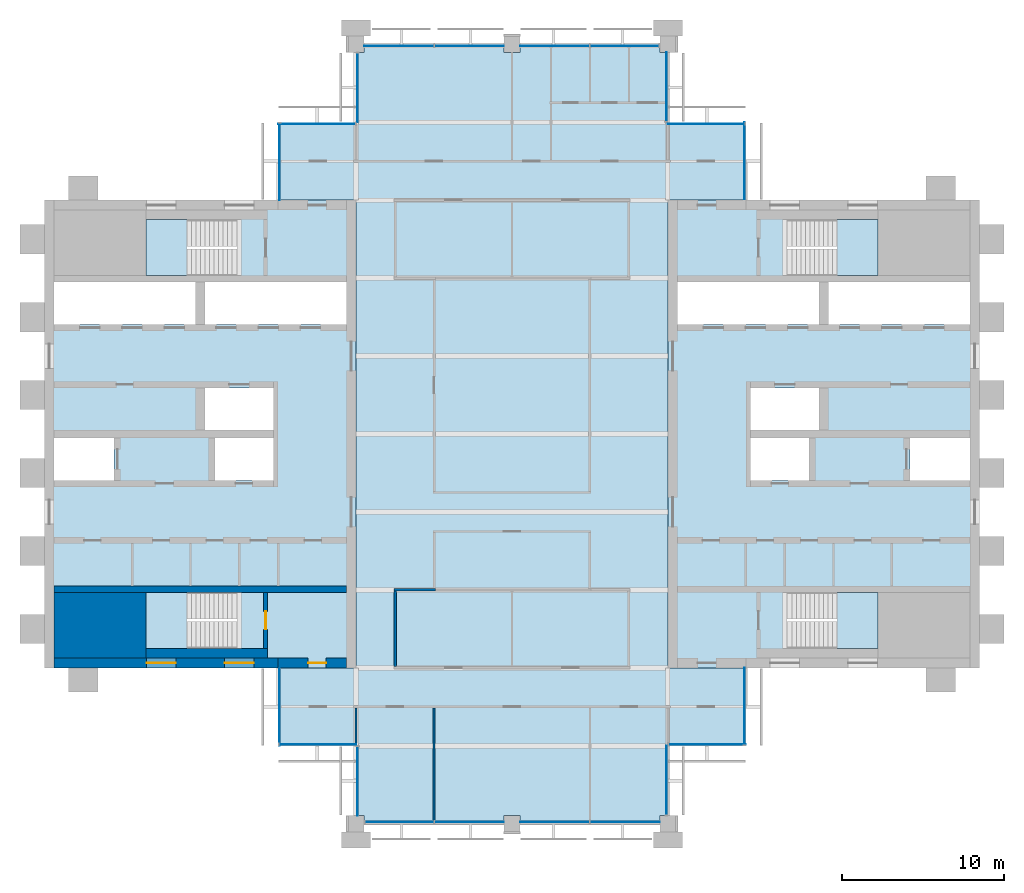
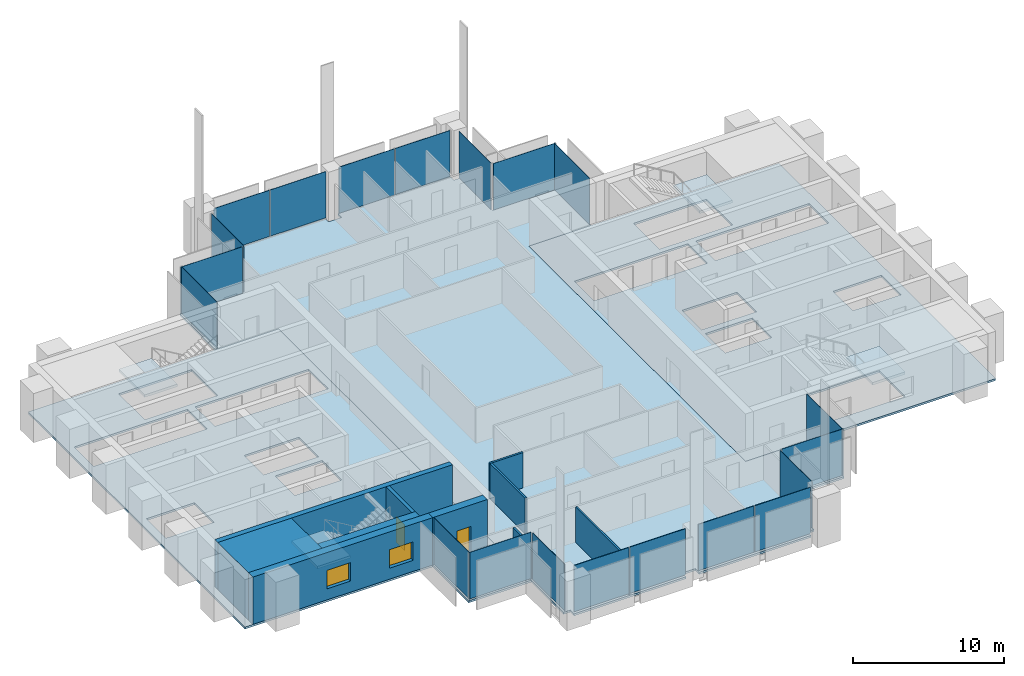
# One storey, part 7 of 13: 20 plates, 10 walls, 7 slabs, 2 doors, 2 windows, 4 openings, 18 elements without a shape of their own.
"""IFC4 building model written with IfcOpenShell, lengths in metres."""

from ifc_helpers import new_model, si_unit, direction, frame, frame_2d, origin, origin_2d, place, context, subcontext, project, spatial, polyline, rectangle, outline, extrude, material, layer, layer_set, type_object, element, fill, aggregate, save


model = new_model("IFC4")

# Units and contexts
model_context = context("Model", 3, precision=1e-05, world=origin(), true_north=direction((0.0, 1.0)))
body_context = subcontext(model_context, "Body", "Model", "MODEL_VIEW")
ifc_project = project(units=[si_unit("LENGTHUNIT", "METRE"), si_unit("AREAUNIT", "SQUARE_METRE"), si_unit("VOLUMEUNIT", "CUBIC_METRE"), si_unit("PLANEANGLEUNIT", "RADIAN"), si_unit("MASSUNIT", "GRAM", prefix="KILO")], contexts=[model_context])

# Site, building, storey
site_placement = place(None, origin())
site = spatial("IfcSite", under=ifc_project, at=site_placement, CompositionType="ELEMENT")
building_placement = place(site_placement, origin())
building = spatial("IfcBuilding", under=site, at=building_placement, Name="Baori Bourse Tower", CompositionType="ELEMENT")
storey_placement = place(building_placement, frame((0.0, 0.0, 330.300048828125)))
storey = spatial("IfcBuildingStorey", under=building, at=storey_placement, Name="L73", CompositionType="ELEMENT", Elevation=330.300048828125)

# Curtain wall, plate
ifc_material_1 = material(Name="Pale anodised aluminium", Category="aluminium")
curtain_wall_type_1 = type_object("IfcCurtainWallType", Name="CW2 Curtain wall", PredefinedType="NOTDEFINED", material=ifc_material_1)
curtain_wall_1_placement = place(storey_placement, origin())
curtain_wall_1 = element("IfcCurtainWall", 1, at=curtain_wall_1_placement, inside=storey, type_object=curtain_wall_type_1, Name="Curtain wall CW2 L73 1", PredefinedType="NOTDEFINED")
ifc_material_2 = material(Name="Clear glass", Category="glass")
ifc_layer_1 = layer(ifc_material_2, 0.030029296875)
ifc_layer_set_1 = layer_set([ifc_layer_1], Name="CW2 Curtain wall panel")
plate_type_1 = type_object("IfcPlateType", Name="CW2 Curtain wall panel", PredefinedType="CURTAIN_PANEL", material=ifc_layer_set_1)
plate_1_placement = place(storey_placement, frame((43.110107421875, 40.827392578125, 0.06982421875), z_axis=(0.0, 0.0, 1.0), x_axis=(0.0, 1.0, 0.0)))
plate_1 = element("IfcPlate", 2, at=plate_1_placement, type_object=plate_type_1, Name="Curtain wall CW2 panel", PredefinedType="CURTAIN_PANEL", context=body_context, shape_type="SweptSolid", body=[
    extrude(rectangle(XDim=4.7451171875, YDim=0.030029296875, at=origin_2d()), origin(), (0.0, 0.0, 1.0), 3.77001953125),
])
aggregate(curtain_wall_1, [plate_1])

curtain_wall_2_placement = place(storey_placement, origin())
curtain_wall_2 = element("IfcCurtainWall", 3, at=curtain_wall_2_placement, inside=storey, type_object=curtain_wall_type_1, Name="Curtain wall CW2 L73 2", PredefinedType="NOTDEFINED")
plate_2_placement = place(storey_placement, frame((40.7724609375, 43.110107421875, 0.06982421875), z_axis=(0.0, 0.0, 1.0), x_axis=(-1.0, 0.0, 0.0)))
plate_2 = element("IfcPlate", 4, at=plate_2_placement, type_object=plate_type_1, Name="Curtain wall CW2 panel", PredefinedType="CURTAIN_PANEL", context=body_context, shape_type="SweptSolid", body=[
    extrude(rectangle(XDim=4.7451171875, YDim=0.030029296875, at=origin_2d()), origin(), (0.0, 0.0, 1.0), 3.77001953125),
])
aggregate(curtain_wall_2, [plate_2])

curtain_wall_3_placement = place(storey_placement, origin())
curtain_wall_3 = element("IfcCurtainWall", 5, at=curtain_wall_3_placement, inside=storey, type_object=curtain_wall_type_1, Name="Curtain wall CW2 L73 3", PredefinedType="NOTDEFINED")
plate_3_placement = place(storey_placement, frame((38.31005859375, 45.37744140625, 0.06982421875), z_axis=(0.0, 0.0, 1.0), x_axis=(0.0, 1.0, 0.0)))
plate_3 = element("IfcPlate", 6, at=plate_3_placement, type_object=plate_type_1, Name="Curtain wall CW2 panel", PredefinedType="CURTAIN_PANEL", context=body_context, shape_type="SweptSolid", body=[
    extrude(rectangle(XDim=4.2451171875, YDim=0.030029296875, at=origin_2d()), origin(), (0.0, 0.0, 1.0), 3.77001953125),
])
aggregate(curtain_wall_3, [plate_3])

curtain_wall_4_placement = place(storey_placement, origin())
curtain_wall_4 = element("IfcCurtainWall", 7, at=curtain_wall_4_placement, inside=storey, type_object=curtain_wall_type_1, Name="Curtain wall CW2 L73 5", PredefinedType="NOTDEFINED")
plate_4_placement = place(storey_placement, frame((19.2900390625, 45.322509765625, 0.06982421875), z_axis=(0.0, 0.0, 1.0), x_axis=(0.0, -1.0, 0.0)))
plate_4 = element("IfcPlate", 8, at=plate_4_placement, type_object=plate_type_1, Name="Curtain wall CW2 panel", PredefinedType="CURTAIN_PANEL", context=body_context, shape_type="SweptSolid", body=[
    extrude(rectangle(XDim=4.2451171875, YDim=0.030029296875, at=origin_2d()), origin(), (0.0, 0.0, 1.0), 3.77001953125),
])
aggregate(curtain_wall_4, [plate_4])

curtain_wall_5_placement = place(storey_placement, origin())
curtain_wall_5 = element("IfcCurtainWall", 9, at=curtain_wall_5_placement, inside=storey, type_object=curtain_wall_type_1, Name="Curtain wall CW2 L73 6", PredefinedType="NOTDEFINED")
plate_5_placement = place(storey_placement, frame((16.7724609375, 43.110107421875, 0.06982421875), z_axis=(0.0, 0.0, 1.0), x_axis=(-1.0, 0.0, 0.0)))
plate_5 = element("IfcPlate", 10, at=plate_5_placement, type_object=plate_type_1, Name="Curtain wall CW2 panel", PredefinedType="CURTAIN_PANEL", context=body_context, shape_type="SweptSolid", body=[
    extrude(rectangle(XDim=4.7451171875, YDim=0.030029296875, at=origin_2d()), origin(), (0.0, 0.0, 1.0), 3.77001953125),
])
aggregate(curtain_wall_5, [plate_5])

curtain_wall_6_placement = place(storey_placement, origin())
curtain_wall_6 = element("IfcCurtainWall", 11, at=curtain_wall_6_placement, inside=storey, type_object=curtain_wall_type_1, Name="Curtain wall CW2 L73 7", PredefinedType="NOTDEFINED")
plate_6_placement = place(storey_placement, frame((14.489990234375, 40.7724609375, 0.06982421875), z_axis=(0.0, 0.0, 1.0), x_axis=(0.0, -1.0, 0.0)))
plate_6 = element("IfcPlate", 12, at=plate_6_placement, type_object=plate_type_1, Name="Curtain wall CW2 panel", PredefinedType="CURTAIN_PANEL", context=body_context, shape_type="SweptSolid", body=[
    extrude(rectangle(XDim=4.7451171875, YDim=0.030029296875, at=origin_2d()), origin(), (0.0, 0.0, 1.0), 3.77001953125),
])
aggregate(curtain_wall_6, [plate_6])

curtain_wall_7_placement = place(storey_placement, origin())
curtain_wall_7 = element("IfcCurtainWall", 13, at=curtain_wall_7_placement, inside=storey, type_object=curtain_wall_type_1, Name="Curtain wall CW2 L73 8", PredefinedType="NOTDEFINED")
plate_7_placement = place(storey_placement, frame((14.489990234375, 7.172607421875, 0.06982421875), z_axis=(0.0, 0.0, 1.0), x_axis=(0.0, -1.0, 0.0)))
plate_7 = element("IfcPlate", 14, at=plate_7_placement, type_object=plate_type_1, Name="Curtain wall CW2 panel", PredefinedType="CURTAIN_PANEL", context=body_context, shape_type="SweptSolid", body=[
    extrude(rectangle(XDim=4.7451171875, YDim=0.030029296875, at=origin_2d()), origin(), (0.0, 0.0, 1.0), 3.77001953125),
])
aggregate(curtain_wall_7, [plate_7])

curtain_wall_8_placement = place(storey_placement, origin())
curtain_wall_8 = element("IfcCurtainWall", 15, at=curtain_wall_8_placement, inside=storey, type_object=curtain_wall_type_1, Name="Curtain wall CW2 L73 9", PredefinedType="NOTDEFINED")
plate_8_placement = place(storey_placement, frame((16.827392578125, 4.889892578125, 0.06982421875), z_axis=(0.0, 0.0, 1.0), x_axis=(1.0, 0.0, 0.0)))
plate_8 = element("IfcPlate", 16, at=plate_8_placement, type_object=plate_type_1, Name="Curtain wall CW2 panel", PredefinedType="CURTAIN_PANEL", context=body_context, shape_type="SweptSolid", body=[
    extrude(rectangle(XDim=4.7451171875, YDim=0.030029296875, at=origin_2d()), origin(), (0.0, 0.0, 1.0), 3.77001953125),
])
aggregate(curtain_wall_8, [plate_8])

curtain_wall_9_placement = place(storey_placement, origin())
curtain_wall_9 = element("IfcCurtainWall", 17, at=curtain_wall_9_placement, inside=storey, type_object=curtain_wall_type_1, Name="Curtain wall CW2 L73 10", PredefinedType="NOTDEFINED")
plate_9_placement = place(storey_placement, frame((19.2900390625, 2.62255859375, 0.06982421875), z_axis=(0.0, 0.0, 1.0), x_axis=(0.0, -1.0, 0.0)))
plate_9 = element("IfcPlate", 18, at=plate_9_placement, type_object=plate_type_1, Name="Curtain wall CW2 panel", PredefinedType="CURTAIN_PANEL", context=body_context, shape_type="SweptSolid", body=[
    extrude(rectangle(XDim=4.2451171875, YDim=0.030029296875, at=origin_2d()), origin(), (0.0, 0.0, 1.0), 3.77001953125),
])
aggregate(curtain_wall_9, [plate_9])

curtain_wall_10_placement = place(storey_placement, origin())
curtain_wall_10 = element("IfcCurtainWall", 19, at=curtain_wall_10_placement, inside=storey, type_object=curtain_wall_type_1, Name="Curtain wall CW2 L73 12", PredefinedType="NOTDEFINED")
plate_10_placement = place(storey_placement, frame((38.31005859375, 2.677490234375, 0.06982421875), z_axis=(0.0, 0.0, 1.0), x_axis=(0.0, 1.0, 0.0)))
plate_10 = element("IfcPlate", 20, at=plate_10_placement, type_object=plate_type_1, Name="Curtain wall CW2 panel", PredefinedType="CURTAIN_PANEL", context=body_context, shape_type="SweptSolid", body=[
    extrude(rectangle(XDim=4.2451171875, YDim=0.030029296875, at=origin_2d()), origin(), (0.0, 0.0, 1.0), 3.77001953125),
])
aggregate(curtain_wall_10, [plate_10])

curtain_wall_11_placement = place(storey_placement, origin())
curtain_wall_11 = element("IfcCurtainWall", 21, at=curtain_wall_11_placement, inside=storey, type_object=curtain_wall_type_1, Name="Curtain wall CW2 L73 13", PredefinedType="NOTDEFINED")
plate_11_placement = place(storey_placement, frame((40.827392578125, 4.889892578125, 0.06982421875), z_axis=(0.0, 0.0, 1.0), x_axis=(1.0, 0.0, 0.0)))
plate_11 = element("IfcPlate", 22, at=plate_11_placement, type_object=plate_type_1, Name="Curtain wall CW2 panel", PredefinedType="CURTAIN_PANEL", context=body_context, shape_type="SweptSolid", body=[
    extrude(rectangle(XDim=4.7451171875, YDim=0.030029296875, at=origin_2d()), origin(), (0.0, 0.0, 1.0), 3.77001953125),
])
aggregate(curtain_wall_11, [plate_11])

curtain_wall_12_placement = place(storey_placement, origin())
curtain_wall_12 = element("IfcCurtainWall", 23, at=curtain_wall_12_placement, inside=storey, type_object=curtain_wall_type_1, Name="Curtain wall CW2 L73 14", PredefinedType="NOTDEFINED")
plate_12_placement = place(storey_placement, frame((43.110107421875, 7.2275390625, 0.06982421875), z_axis=(0.0, 0.0, 1.0), x_axis=(0.0, 1.0, 0.0)))
plate_12 = element("IfcPlate", 24, at=plate_12_placement, type_object=plate_type_1, Name="Curtain wall CW2 panel", PredefinedType="CURTAIN_PANEL", context=body_context, shape_type="SweptSolid", body=[
    extrude(rectangle(XDim=4.7451171875, YDim=0.030029296875, at=origin_2d()), origin(), (0.0, 0.0, 1.0), 3.77001953125),
])
aggregate(curtain_wall_12, [plate_12])

# Curtain wall, plates
ifc_material_3 = material(Name="Pale anodised aluminium", Category="aluminium")
curtain_wall_type_2 = type_object("IfcCurtainWallType", Name="CW5 Curtain wall", PredefinedType="NOTDEFINED", material=ifc_material_3)
curtain_wall_13_placement = place(storey_placement, origin())
curtain_wall_13 = element("IfcCurtainWall", 25, at=curtain_wall_13_placement, inside=storey, type_object=curtain_wall_type_2, Name="Curtain wall CW5 L73 4", PredefinedType="NOTDEFINED")
ifc_material_4 = material(Name="Clear glass", Category="glass")
ifc_layer_2 = layer(ifc_material_4, 0.035888671875)
ifc_layer_set_2 = layer_set([ifc_layer_2], Name="CW5 Curtain wall panel")
plate_type_2 = type_object("IfcPlateType", Name="CW5 Curtain wall panel", PredefinedType="CURTAIN_PANEL", material=ifc_layer_set_2)
plate_13_placement = place(storey_placement, frame((35.733642578125, 47.889892578125, 0.0849609375), z_axis=(0.0, 0.0, 1.0), x_axis=(-1.0, 0.0, 0.0)))
plate_13 = element("IfcPlate", 26, at=plate_13_placement, type_object=plate_type_2, Name="Curtain wall CW5 panel", PredefinedType="CURTAIN_PANEL", context=body_context, shape_type="SweptSolid", body=[
    extrude(rectangle(XDim=4.202392578125, YDim=0.035888671875, at=origin_2d()), origin(), (0.0, 0.0, 1.0), 3.7548828125),
])
plate_14_placement = place(storey_placement, frame((31.433837890625, 47.889892578125, 0.0849609375), z_axis=(0.0, 0.0, 1.0), x_axis=(-1.0, 0.0, 0.0)))
plate_14 = element("IfcPlate", 27, at=plate_14_placement, type_object=plate_type_2, Name="Curtain wall CW5 panel", PredefinedType="CURTAIN_PANEL", context=body_context, shape_type="SweptSolid", body=[
    extrude(rectangle(XDim=4.267578125, YDim=0.035888671875, at=origin_2d()), origin(), (0.0, 0.0, 1.0), 3.7548828125),
])
plate_15_placement = place(storey_placement, frame((26.166259765625, 47.889892578125, 0.0849609375), z_axis=(0.0, 0.0, 1.0), x_axis=(-1.0, 0.0, 0.0)))
plate_15 = element("IfcPlate", 28, at=plate_15_placement, type_object=plate_type_2, Name="Curtain wall CW5 panel", PredefinedType="CURTAIN_PANEL", context=body_context, shape_type="SweptSolid", body=[
    extrude(rectangle(XDim=4.267578125, YDim=0.035888671875, at=origin_2d()), origin(), (0.0, 0.0, 1.0), 3.7548828125),
])
plate_16_placement = place(storey_placement, frame((21.833740234375, 47.889892578125, 0.0849609375), z_axis=(0.0, 0.0, 1.0), x_axis=(-1.0, 0.0, 0.0)))
plate_16 = element("IfcPlate", 29, at=plate_16_placement, type_object=plate_type_2, Name="Curtain wall CW5 panel", PredefinedType="CURTAIN_PANEL", context=body_context, shape_type="SweptSolid", body=[
    extrude(rectangle(XDim=4.267578125, YDim=0.035888671875, at=origin_2d()), origin(), (0.0, 0.0, 1.0), 3.7548828125),
])
aggregate(curtain_wall_13, [plate_13, plate_14, plate_15, plate_16])

curtain_wall_14_placement = place(storey_placement, origin())
curtain_wall_14 = element("IfcCurtainWall", 30, at=curtain_wall_14_placement, inside=storey, type_object=curtain_wall_type_2, Name="Curtain wall CW5 L73 11", PredefinedType="NOTDEFINED")
plate_17_placement = place(storey_placement, frame((21.8662109375, 0.110107421875, 0.0849609375), z_axis=(0.0, 0.0, 1.0), x_axis=(1.0, 0.0, 0.0)))
plate_17 = element("IfcPlate", 31, at=plate_17_placement, type_object=plate_type_2, Name="Curtain wall CW5 panel", PredefinedType="CURTAIN_PANEL", context=body_context, shape_type="SweptSolid", body=[
    extrude(rectangle(XDim=4.202392578125, YDim=0.035888671875, at=origin_2d()), origin(), (0.0, 0.0, 1.0), 3.7548828125),
])
plate_18_placement = place(storey_placement, frame((26.166259765625, 0.110107421875, 0.0849609375), z_axis=(0.0, 0.0, 1.0), x_axis=(1.0, 0.0, 0.0)))
plate_18 = element("IfcPlate", 32, at=plate_18_placement, type_object=plate_type_2, Name="Curtain wall CW5 panel", PredefinedType="CURTAIN_PANEL", context=body_context, shape_type="SweptSolid", body=[
    extrude(rectangle(XDim=4.267578125, YDim=0.035888671875, at=origin_2d()), origin(), (0.0, 0.0, 1.0), 3.7548828125),
])
plate_19_placement = place(storey_placement, frame((31.433837890625, 0.110107421875, 0.0849609375), z_axis=(0.0, 0.0, 1.0), x_axis=(1.0, 0.0, 0.0)))
plate_19 = element("IfcPlate", 33, at=plate_19_placement, type_object=plate_type_2, Name="Curtain wall CW5 panel", PredefinedType="CURTAIN_PANEL", context=body_context, shape_type="SweptSolid", body=[
    extrude(rectangle(XDim=4.267578125, YDim=0.035888671875, at=origin_2d()), origin(), (0.0, 0.0, 1.0), 3.7548828125),
])
plate_20_placement = place(storey_placement, frame((35.766357421875, 0.110107421875, 0.0849609375), z_axis=(0.0, 0.0, 1.0), x_axis=(1.0, 0.0, 0.0)))
plate_20 = element("IfcPlate", 34, at=plate_20_placement, type_object=plate_type_2, Name="Curtain wall CW5 panel", PredefinedType="CURTAIN_PANEL", context=body_context, shape_type="SweptSolid", body=[
    extrude(rectangle(XDim=4.267578125, YDim=0.035888671875, at=origin_2d()), origin(), (0.0, 0.0, 1.0), 3.7548828125),
])
aggregate(curtain_wall_14, [plate_17, plate_18, plate_19, plate_20])

# Slabs
ifc_material_5 = material(Name="Concrete f'c 50 MPa", Category="concrete")
ifc_layer_3 = layer(ifc_material_5, 0.159912109375)
ifc_layer_set_3 = layer_set([ifc_layer_3], Name="Core slab 160")
slab_type_1 = type_object("IfcSlabType", Name="Core slab 160", PredefinedType="FLOOR", material=ifc_layer_set_3)
slab_1_placement = place(storey_placement, frame((0.0, 0.0, -0.16015625)))
element("IfcSlab", 35, at=slab_1_placement, inside=storey, type_object=slab_type_1, Name="Core floor slab W01", PredefinedType="FLOOR", context=body_context, shape_type="SweptSolid", body=[
    extrude(outline(polyline([(19.199951171875, 38.39990234375), (0.0, 38.39990234375), (0.0, 9.60009765625), (19.199951171875, 9.60009765625), (19.199951171875, 38.39990234375)]), holes=[polyline([(9.89990234375, 33.35009765625), (18.60009765625, 33.35009765625), (18.60009765625, 30.75), (9.89990234375, 30.75), (9.89990234375, 33.35009765625)]), polyline([(10.5, 21.14990234375), (10.5, 23.75), (14.10009765625, 23.75), (14.10009765625, 21.14990234375), (10.5, 21.14990234375)]), polyline([(14.10009765625, 24.25), (9.89990234375, 24.25), (9.89990234375, 26.85009765625), (14.10009765625, 26.85009765625), (14.10009765625, 24.25)]), polyline([(6.25, 14.25), (11.84912109375, 14.25), (11.84912109375, 10.800048828125), (6.25, 10.800048828125), (6.25, 14.25)]), polyline([(11.84912109375, 37.199951171875), (11.84912109375, 33.75), (6.25, 33.75), (6.25, 37.199951171875), (11.84912109375, 37.199951171875)]), polyline([(0.60009765625, 30.75), (0.60009765625, 33.35009765625), (9.300048828125, 33.35009765625), (9.300048828125, 30.75), (0.60009765625, 30.75)]), polyline([(4.300048828125, 23.75), (4.300048828125, 21.14990234375), (0.60009765625, 21.14990234375), (0.60009765625, 23.75), (4.300048828125, 23.75)])]), origin(), (0.0, 0.0, 1.0), 0.16015625),
])
slab_2_placement = place(storey_placement, frame((0.0, 0.0, -0.16015625)))
element("IfcSlab", 36, at=slab_2_placement, inside=storey, type_object=slab_type_1, Name="Core floor slab E01", PredefinedType="FLOOR", context=body_context, shape_type="SweptSolid", body=[
    extrude(outline(polyline([(57.60009765625, 9.60009765625), (57.60009765625, 38.39990234375), (38.39990234375, 38.39990234375), (38.39990234375, 9.60009765625), (57.60009765625, 9.60009765625)]), holes=[polyline([(48.300048828125, 33.35009765625), (57.0, 33.35009765625), (57.0, 30.75), (48.300048828125, 30.75), (48.300048828125, 33.35009765625)]), polyline([(57.0, 21.14990234375), (53.300048828125, 21.14990234375), (53.300048828125, 23.75), (57.0, 23.75), (57.0, 21.14990234375)]), polyline([(45.750732421875, 14.25), (51.35009765625, 14.25), (51.35009765625, 10.800048828125), (45.750732421875, 10.800048828125), (45.750732421875, 14.25)]), polyline([(51.35009765625, 37.199951171875), (51.35009765625, 33.75), (45.750732421875, 33.75), (45.750732421875, 37.199951171875), (51.35009765625, 37.199951171875)]), polyline([(43.5, 24.25), (43.5, 26.85009765625), (47.699951171875, 26.85009765625), (47.699951171875, 24.25), (43.5, 24.25)]), polyline([(47.699951171875, 33.35009765625), (47.699951171875, 30.75), (39.0, 30.75), (39.0, 33.35009765625), (47.699951171875, 33.35009765625)]), polyline([(43.5, 23.75), (47.10009765625, 23.75), (47.10009765625, 21.14990234375), (43.5, 21.14990234375), (43.5, 23.75)])]), origin(), (0.0, 0.0, 1.0), 0.16015625),
])

# Stair, slab
ifc_material_6 = material(Name="Concrete f'c 50 MPa", Category="concrete")
stair_type = type_object("IfcStairType", Name="Core stair", PredefinedType="HALF_TURN_STAIR", material=ifc_material_6)
stair_1_placement = place(storey_placement, origin())
stair_1 = element("IfcStair", 37, at=stair_1_placement, inside=storey, type_object=stair_type, Name="L73 Stair WA", PredefinedType="HALF_TURN_STAIR")
ifc_material_7 = material(Name="Concrete f'c 50 MPa", Category="concrete")
slab_type_2 = type_object("IfcSlabType", Name="Core stair landing", PredefinedType="LANDING", material=ifc_material_7)
slab_3_placement = place(storey_placement, frame((0.0, 0.0, 1.800048828125)))
slab_3 = element("IfcSlab", 38, at=slab_3_placement, type_object=slab_type_2, Name="ST1 landing 1", PredefinedType="LANDING", context=body_context, shape_type="SweptSolid", body=[
    extrude(outline(polyline([(8.77001953125, 14.25), (6.25, 14.25), (6.25, 10.800048828125), (8.77001953125, 10.800048828125), (8.77001953125, 14.25)])), origin(), (0.0, 0.0, 1.0), 0.199951171875),
])
aggregate(stair_1, [slab_3])

stair_2_placement = place(storey_placement, origin())
stair_2 = element("IfcStair", 39, at=stair_2_placement, inside=storey, type_object=stair_type, Name="L73 Stair WB", PredefinedType="HALF_TURN_STAIR")
slab_4_placement = place(storey_placement, frame((0.0, 0.0, 1.800048828125)))
slab_4 = element("IfcSlab", 40, at=slab_4_placement, type_object=slab_type_2, Name="ST2 landing 1", PredefinedType="LANDING", context=body_context, shape_type="SweptSolid", body=[
    extrude(outline(polyline([(8.77001953125, 37.199951171875), (6.25, 37.199951171875), (6.25, 33.75), (8.77001953125, 33.75), (8.77001953125, 37.199951171875)])), origin(), (0.0, 0.0, 1.0), 0.199951171875),
])
aggregate(stair_2, [slab_4])

stair_3_placement = place(storey_placement, origin())
stair_3 = element("IfcStair", 41, at=stair_3_placement, inside=storey, type_object=stair_type, Name="L73 Stair EA", PredefinedType="HALF_TURN_STAIR")
slab_5_placement = place(storey_placement, frame((0.0, 0.0, 1.800048828125)))
slab_5 = element("IfcSlab", 42, at=slab_5_placement, type_object=slab_type_2, Name="ST3 landing 1", PredefinedType="LANDING", context=body_context, shape_type="SweptSolid", body=[
    extrude(outline(polyline([(48.830078125, 10.800048828125), (51.35009765625, 10.800048828125), (51.35009765625, 14.25), (48.830078125, 14.25), (48.830078125, 10.800048828125)])), origin(), (0.0, 0.0, 1.0), 0.199951171875),
])
aggregate(stair_3, [slab_5])

stair_4_placement = place(storey_placement, origin())
stair_4 = element("IfcStair", 43, at=stair_4_placement, inside=storey, type_object=stair_type, Name="L73 Stair EB", PredefinedType="HALF_TURN_STAIR")
slab_6_placement = place(storey_placement, frame((0.0, 0.0, 1.800048828125)))
slab_6 = element("IfcSlab", 44, at=slab_6_placement, type_object=slab_type_2, Name="ST4 landing 1", PredefinedType="LANDING", context=body_context, shape_type="SweptSolid", body=[
    extrude(outline(polyline([(48.830078125, 33.75), (51.35009765625, 33.75), (51.35009765625, 37.199951171875), (48.830078125, 37.199951171875), (48.830078125, 33.75)])), origin(), (0.0, 0.0, 1.0), 0.199951171875),
])
aggregate(stair_4, [slab_6])

# Slab
ifc_material_8 = material(Name="Concrete f'c 40 MPa", Category="concrete")
ifc_layer_4 = layer(ifc_material_8, 0.159912109375)
ifc_layer_set_4 = layer_set([ifc_layer_4], Name="Floor slab 160")
slab_type_3 = type_object("IfcSlabType", Name="Floor slab 160", PredefinedType="FLOOR", material=ifc_layer_set_4)
slab_7_placement = place(storey_placement, frame((0.0, 0.0, -0.16015625)))
element("IfcSlab", 45, at=slab_7_placement, inside=storey, type_object=slab_type_3, Name="Floor slab L73", PredefinedType="FLOOR", context=body_context, shape_type="SweptSolid", body=[
    extrude(outline(polyline([(19.199951171875, 4.800048828125), (14.39990234375, 4.800048828125), (14.39990234375, 9.60009765625), (19.199951171875, 9.60009765625), (19.199951171875, 38.39990234375), (14.39990234375, 38.39990234375), (14.39990234375, 43.199951171875), (19.199951171875, 43.199951171875), (19.199951171875, 47.5), (19.699951171875, 47.5), (19.699951171875, 48.0), (28.300048828125, 48.0), (28.300048828125, 47.5), (29.300048828125, 47.5), (29.300048828125, 48.0), (37.89990234375, 48.0), (37.89990234375, 47.5), (38.39990234375, 47.5), (38.39990234375, 43.199951171875), (43.199951171875, 43.199951171875), (43.199951171875, 38.39990234375), (38.39990234375, 38.39990234375), (38.39990234375, 9.60009765625), (43.199951171875, 9.60009765625), (43.199951171875, 4.800048828125), (38.39990234375, 4.800048828125), (38.39990234375, 0.5), (37.89990234375, 0.5), (37.89990234375, 0.0), (29.300048828125, 0.0), (29.300048828125, 0.5), (28.300048828125, 0.5), (28.300048828125, 0.0), (19.699951171875, 0.0), (19.699951171875, 0.5), (19.199951171875, 0.5), (19.199951171875, 4.800048828125)])), origin(), (0.0, 0.0, 1.0), 0.16015625),
])

# Wall
ifc_material_9 = material(Name="Concrete f'c 40 MPa", Category="concrete")
wall_type_1 = type_object("IfcWallType", Name="Core corner block f'c 40", PredefinedType="SHEAR", material=ifc_material_9)
wall_1_placement = place(storey_placement, frame((0.60009765625, 12.22509765625, 0.0), z_axis=(0.0, 0.0, 1.0), x_axis=(1.0, 0.0, 0.0)))
element("IfcWall", 46, at=wall_1_placement, inside=storey, type_object=wall_type_1, Name="Core wall W05", PredefinedType="SHEAR", context=body_context, shape_type="SweptSolid", body=[
    extrude(rectangle(XDim=5.64990234375, YDim=4.050048828125, at=frame_2d((2.824951171875, 0.0))), origin(), (0.0, 0.0, 1.0), 3.83984375),
])

# Wall, openings, windows
ifc_material_10 = material(Name="Concrete f'c 40 MPa", Category="concrete")
ifc_layer_5 = layer(ifc_material_10, 0.60009765625)
ifc_layer_set_5 = layer_set([ifc_layer_5], Name="Core wall 600 f'c 40")
wall_type_2 = type_object("IfcWallType", Name="Core wall 600 f'c 40", PredefinedType="SHEAR", material=ifc_layer_set_5)
wall_2_placement = place(storey_placement, frame((14.39990234375, 9.89990234375, 0.0), z_axis=(0.0, 0.0, 1.0), x_axis=(-1.0, 0.0, 0.0)))
wall_2 = element("IfcWall", 47, at=wall_2_placement, inside=storey, type_object=wall_type_2, Name="Core wall W02", PredefinedType="SHEAR", context=body_context, shape_type="SweptSolid", body=[
    extrude(rectangle(XDim=13.7998046875, YDim=0.60009765625, at=frame_2d((6.89990234375, 0.0))), origin(), (0.0, 0.0, 1.0), 3.83984375),
])
opening_1_placement = place(wall_2_placement, frame((6.300048828125, 0.0, 0.89990234375)))
opening_1 = element("IfcOpeningElement", 48, at=opening_1_placement, cuts=wall_2, Name="Opening L73-KW103", PredefinedType="OPENING", context=body_context, shape_type="SweptSolid", body=[
    extrude(rectangle(XDim=1.800048828125, YDim=1.5, at=frame_2d((0.89990234375, 0.75))), frame((0.0, 0.31005859375, 0.0), z_axis=(0.0, -1.0, 0.0), x_axis=(1.0, 0.0, 0.0)), (0.0, 0.0, 1.0), 0.6201171875),
])
opening_2_placement = place(wall_2_placement, frame((1.5, 0.0, 0.89990234375)))
opening_2 = element("IfcOpeningElement", 49, at=opening_2_placement, cuts=wall_2, Name="Opening L73-KW104", PredefinedType="OPENING", context=body_context, shape_type="SweptSolid", body=[
    extrude(rectangle(XDim=1.800048828125, YDim=1.5, at=frame_2d((0.89990234375, 0.75))), frame((0.0, 0.31005859375, 0.0), z_axis=(0.0, -1.0, 0.0), x_axis=(1.0, 0.0, 0.0)), (0.0, 0.0, 1.0), 0.6201171875),
])
ifc_material_11 = material(Name="Pale anodised aluminium", Category="aluminium")
window_type = type_object("IfcWindowType", Name="Stair window 1800 x 1500", PartitioningType="SINGLE_PANEL", PredefinedType="WINDOW", material=ifc_material_11)
window_1_placement = place(opening_1_placement, origin())
window_1 = element("IfcWindow", 50, at=window_1_placement, inside=storey, type_object=window_type, Name="Stair window W L73 3", OverallHeight=1.5, OverallWidth=1.800048828125, PartitioningType="SINGLE_PANEL", PredefinedType="WINDOW", context=body_context, shape_type="SweptSolid", body=[
    extrude(rectangle(XDim=1.800048828125, YDim=1.5, at=frame_2d((0.89990234375, 0.75))), frame((0.0, 0.030029296875, 0.0), z_axis=(0.0, -1.0, 0.0), x_axis=(1.0, 0.0, 0.0)), (0.0, 0.0, 1.0), 0.06005859375),
])
fill(opening_1, window_1)
window_2_placement = place(opening_2_placement, origin())
window_2 = element("IfcWindow", 51, at=window_2_placement, inside=storey, type_object=window_type, Name="Stair window W L73 4", OverallHeight=1.5, OverallWidth=1.800048828125, PartitioningType="SINGLE_PANEL", PredefinedType="WINDOW", context=body_context, shape_type="SweptSolid", body=[
    extrude(rectangle(XDim=1.800048828125, YDim=1.5, at=frame_2d((0.89990234375, 0.75))), frame((0.0, 0.030029296875, 0.0), z_axis=(0.0, -1.0, 0.0), x_axis=(1.0, 0.0, 0.0)), (0.0, 0.0, 1.0), 0.06005859375),
])
fill(opening_2, window_2)

# Wall, opening, door
wall_3_placement = place(storey_placement, frame((18.60009765625, 9.89990234375, 0.0), z_axis=(0.0, 0.0, 1.0), x_axis=(-1.0, 0.0, 0.0)))
wall_3 = element("IfcWall", 52, at=wall_3_placement, inside=storey, type_object=wall_type_2, Name="Core wall W03", PredefinedType="SHEAR", context=body_context, shape_type="SweptSolid", body=[
    extrude(rectangle(XDim=4.2001953125, YDim=0.60009765625, at=frame_2d((2.10009765625, 0.0))), origin(), (0.0, 0.0, 1.0), 3.83984375),
])
opening_3_placement = place(wall_3_placement, frame((1.25, 0.0, 0.0)))
opening_3 = element("IfcOpeningElement", 53, at=opening_3_placement, cuts=wall_3, Name="Opening L73-D102", PredefinedType="OPENING", context=body_context, shape_type="SweptSolid", body=[
    extrude(rectangle(XDim=1.10009765625, YDim=2.10009765625, at=frame_2d((0.550048828125, 1.050048828125))), frame((0.0, 0.31005859375, 0.0), z_axis=(0.0, -1.0, 0.0), x_axis=(1.0, 0.0, 0.0)), (0.0, 0.0, 1.0), 0.6201171875),
])
ifc_material_12 = material(Name="Painted steel door", Category="steel")
door_type = type_object("IfcDoorType", Name="Stair door 1100", OperationType="SINGLE_SWING_LEFT", PredefinedType="DOOR", material=ifc_material_12)
door_1_placement = place(opening_3_placement, origin())
door_1 = element("IfcDoor", 54, at=door_1_placement, inside=storey, type_object=door_type, Name="Stair vestibule door A W L73", OperationType="SINGLE_SWING_LEFT", OverallHeight=2.10009765625, OverallWidth=1.10009765625, PredefinedType="DOOR", context=body_context, shape_type="SweptSolid", body=[
    extrude(rectangle(XDim=1.10009765625, YDim=2.10009765625, at=frame_2d((0.550048828125, 1.050048828125))), frame((0.0, 0.02490234375, 0.0), z_axis=(0.0, -1.0, 0.0), x_axis=(1.0, 0.0, 0.0)), (0.0, 0.0, 1.0), 0.050048828125),
])
fill(opening_3, door_1)

# Walls
ifc_material_13 = material(Name="Gypsum board partition")
ifc_layer_6 = layer(ifc_material_13, 0.14990234375)
ifc_layer_set_6 = layer_set([ifc_layer_6], Name="Corridor partition 150")
wall_type_3 = type_object("IfcWallType", Name="Corridor partition 150", PredefinedType="PARTITIONING", material=ifc_layer_set_6)
wall_4_placement = place(storey_placement, frame((21.52490234375, 14.39990234375, 0.0), z_axis=(0.0, 0.0, 1.0), x_axis=(1.0, 0.0, 0.0)))
element("IfcWall", 55, at=wall_4_placement, inside=storey, type_object=wall_type_3, Name="Partition", PredefinedType="PARTITIONING", context=body_context, shape_type="SweptSolid", body=[
    extrude(rectangle(XDim=2.550048828125, YDim=0.14990234375, at=frame_2d((1.27490234375, 0.0))), origin(), (0.0, 0.0, 1.0), 2.86962890625),
])
wall_5_placement = place(storey_placement, frame((21.60009765625, 9.675048828125, 0.0), z_axis=(0.0, 0.0, 1.0), x_axis=(0.0, 1.0, 0.0)))
element("IfcWall", 56, at=wall_5_placement, inside=storey, type_object=wall_type_3, Name="Partition", PredefinedType="PARTITIONING", context=body_context, shape_type="SweptSolid", body=[
    extrude(rectangle(XDim=4.64990234375, YDim=0.14990234375, at=frame_2d((2.324951171875, 0.0))), origin(), (0.0, 0.0, 1.0), 2.86962890625),
])
ifc_material_14 = material(Name="Gypsum board partition")
ifc_layer_7 = layer(ifc_material_14, 0.125)
ifc_layer_set_7 = layer_set([ifc_layer_7], Name="Partition 125")
wall_type_4 = type_object("IfcWallType", Name="Partition 125", PredefinedType="PARTITIONING", material=ifc_layer_set_7)
wall_6_placement = place(storey_placement, frame((19.199951171875, 4.89990234375, 0.0), z_axis=(0.0, 0.0, 1.0), x_axis=(0.0, 1.0, 0.0)))
element("IfcWall", 57, at=wall_6_placement, inside=storey, type_object=wall_type_4, Name="Partition", PredefinedType="PARTITIONING", context=body_context, shape_type="SweptSolid", body=[
    extrude(rectangle(XDim=2.22509765625, YDim=0.125, at=frame_2d((1.112548828125, 0.0))), origin(), (0.0, 0.0, 1.0), 2.86962890625),
])
wall_7_placement = place(storey_placement, frame((24.0, 0.10009765625, 0.0), z_axis=(0.0, 0.0, 1.0), x_axis=(0.0, 1.0, 0.0)))
element("IfcWall", 58, at=wall_7_placement, inside=storey, type_object=wall_type_4, Name="Partition", PredefinedType="PARTITIONING", context=body_context, shape_type="SweptSolid", body=[
    extrude(rectangle(XDim=7.02490234375, YDim=0.125, at=frame_2d((3.512451171875, 0.0))), origin(), (0.0, 0.0, 1.0), 2.86962890625),
])

# Wall, opening, door
ifc_material_15 = material(Name="Concrete f'c 40 MPa", Category="concrete")
ifc_layer_8 = layer(ifc_material_15, 0.25)
ifc_layer_set_8 = layer_set([ifc_layer_8], Name="Shaft wall 250 f'c 40")
wall_type_5 = type_object("IfcWallType", Name="Shaft wall 250 f'c 40", PredefinedType="SHEAR", material=ifc_layer_set_8)
wall_8_placement = place(storey_placement, frame((13.625, 10.800048828125, 0.0), z_axis=(0.0, 0.0, 1.0), x_axis=(0.0, 1.0, 0.0)))
wall_8 = element("IfcWall", 59, at=wall_8_placement, inside=storey, type_object=wall_type_5, Name="Core wall W07", PredefinedType="SHEAR", context=body_context, shape_type="SweptSolid", body=[
    extrude(rectangle(XDim=3.449951171875, YDim=0.25, at=frame_2d((1.72509765625, 0.0))), origin(), (0.0, 0.0, 1.0), 3.83984375),
])
opening_4_placement = place(wall_8_placement, frame((1.175048828125, 0.0, 0.0)))
opening_4 = element("IfcOpeningElement", 60, at=opening_4_placement, cuts=wall_8, Name="Opening L73-D101", PredefinedType="OPENING", context=body_context, shape_type="SweptSolid", body=[
    extrude(rectangle(XDim=1.10009765625, YDim=2.10009765625, at=frame_2d((0.550048828125, 1.050048828125))), frame((0.0, 0.135009765625, 0.0), z_axis=(0.0, -1.0, 0.0), x_axis=(1.0, 0.0, 0.0)), (0.0, 0.0, 1.0), 0.27001953125),
])
door_2_placement = place(opening_4_placement, origin())
door_2 = element("IfcDoor", 61, at=door_2_placement, inside=storey, type_object=door_type, Name="Stair door A W L73", OperationType="SINGLE_SWING_LEFT", OverallHeight=2.10009765625, OverallWidth=1.10009765625, PredefinedType="DOOR", context=body_context, shape_type="SweptSolid", body=[
    extrude(rectangle(XDim=1.10009765625, YDim=2.10009765625, at=frame_2d((0.550048828125, 1.050048828125))), frame((0.0, 0.02490234375, 0.0), z_axis=(0.0, -1.0, 0.0), x_axis=(1.0, 0.0, 0.0)), (0.0, 0.0, 1.0), 0.050048828125),
])
fill(opening_4, door_2)

# Walls
ifc_material_16 = material(Name="Concrete f'c 40 MPa", Category="concrete")
ifc_layer_9 = layer(ifc_material_16, 0.39990234375)
ifc_layer_set_9 = layer_set([ifc_layer_9], Name="Shaft wall 400 f'c 40")
wall_type_6 = type_object("IfcWallType", Name="Shaft wall 400 f'c 40", PredefinedType="SHEAR", material=ifc_layer_set_9)
wall_9_placement = place(storey_placement, frame((0.60009765625, 14.449951171875, 0.0), z_axis=(0.0, 0.0, 1.0), x_axis=(1.0, 0.0, 0.0)))
element("IfcWall", 62, at=wall_9_placement, inside=storey, type_object=wall_type_6, Name="Core wall W08", PredefinedType="SHEAR", context=body_context, shape_type="SweptSolid", body=[
    extrude(rectangle(XDim=18.0, YDim=0.39990234375, at=frame_2d((9.0, 0.0))), origin(), (0.0, 0.0, 1.0), 3.83984375),
])
ifc_material_17 = material(Name="Concrete f'c 40 MPa", Category="concrete")
ifc_layer_10 = layer(ifc_material_17, 0.60009765625)
ifc_layer_set_10 = layer_set([ifc_layer_10], Name="Shaft wall 600 f'c 40")
wall_type_7 = type_object("IfcWallType", Name="Shaft wall 600 f'c 40", PredefinedType="SHEAR", material=ifc_layer_set_10)
wall_10_placement = place(storey_placement, frame((6.25, 10.5, 0.0), z_axis=(0.0, 0.0, 1.0), x_axis=(1.0, 0.0, 0.0)))
element("IfcWall", 63, at=wall_10_placement, inside=storey, type_object=wall_type_7, Name="Core wall W06", PredefinedType="SHEAR", context=body_context, shape_type="SweptSolid", body=[
    extrude(rectangle(XDim=7.5, YDim=0.60009765625, at=frame_2d((3.75, 0.0))), origin(), (0.0, 0.0, 1.0), 3.83984375),
])

save(model, "model.ifc")
